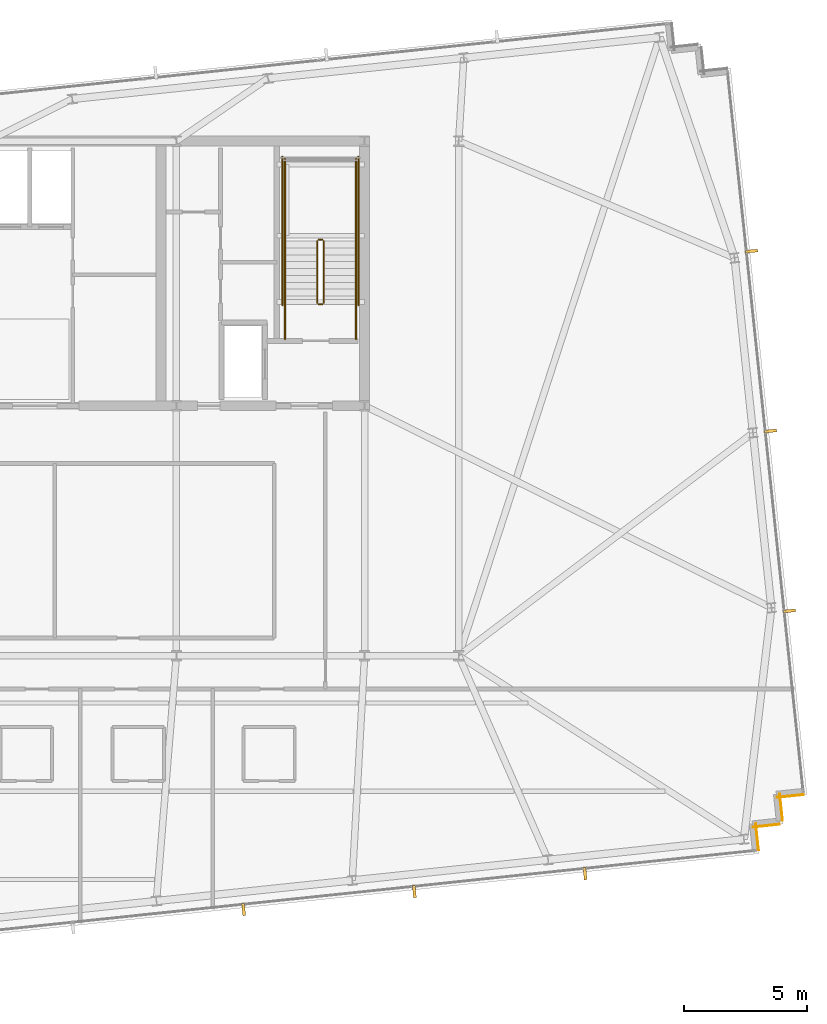
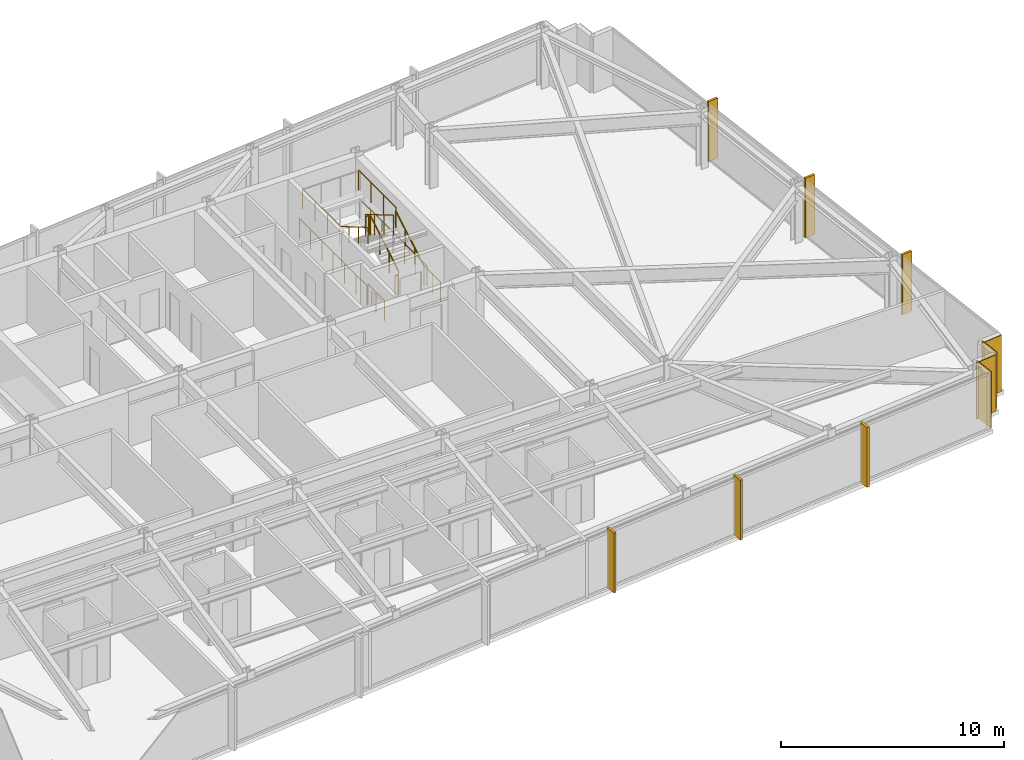
# One storey, part 32 of 33: 12 railings, 6 shading devices, 4 coverings.
"""IFC4 building model written with IfcOpenShell, lengths in metres."""

from ifc_helpers import new_model, si_unit, direction, frame, frame_2d, origin, origin_2d, place, context, subcontext, project, spatial, rectangle, circle, extrude, material, layer, layer_set, type_object, element, save


model = new_model("IFC4")

# Units and contexts
model_context = context("Model", 3, precision=1e-05, world=origin(), true_north=direction((0.0, 1.0)))
body_context = subcontext(model_context, "Body", "Model", "MODEL_VIEW")
ifc_project = project(units=[si_unit("LENGTHUNIT", "METRE"), si_unit("AREAUNIT", "SQUARE_METRE"), si_unit("VOLUMEUNIT", "CUBIC_METRE"), si_unit("PLANEANGLEUNIT", "RADIAN"), si_unit("MASSUNIT", "GRAM", prefix="KILO")], contexts=[model_context])

# Site, building, storey
site_placement = place(None, origin())
site = spatial("IfcSite", under=ifc_project, at=site_placement, CompositionType="ELEMENT")
building_placement = place(site_placement, origin())
building = spatial("IfcBuilding", under=site, at=building_placement, Name="Yelkora Congress Tower", CompositionType="ELEMENT")
storey_placement = place(building_placement, frame((0.0, 0.0, 221.0)))
storey = spatial("IfcBuildingStorey", under=building, at=storey_placement, Name="L61", CompositionType="ELEMENT", Elevation=221.0)

# Coverings
ifc_material_1 = material(Name="Anatolian bush-hammered limestone", Category="masonry")
ifc_layer_1 = layer(ifc_material_1, 0.0400390625)
ifc_layer_set_1 = layer_set([ifc_layer_1], Name="Anatolian bush-hammered limestone")
covering_type = type_object("IfcCoveringType", Name="COV-CLAD-SPANDREL-40", PredefinedType="CLADDING", material=ifc_layer_set_1)
for number, where, z_axis, x_axis, name in (
    (1, (71.668212890625, 19.535888671875, 0.0), (0.0, 0.0, 1.0), (-0.994544300928, -0.104315068386, 0.0), "L61 Anatolian Limestone Cladding EW-L61-SR16"),
    (2, (70.6943359375, 19.569580078125, 0.0), (0.0, 0.0, 1.0), (0.104534592565, -0.994521251134, 0.0), "L61 Anatolian Limestone Cladding EW-L61-SR17"),
    (3, (70.689208984375, 18.3271484375, 0.0), (0.0, 0.0, 1.0), (-0.994521251134, -0.104534592565, 0.0), "L61 Anatolian Limestone Cladding EW-L61-SR18"),
    (4, (69.71533203125, 18.360595703125, 0.0), (0.0, 0.0, 1.0), (0.104534592565, -0.994521251134, 0.0), "L61 Anatolian Limestone Cladding EW-L61-SR19"),
):
    element("IfcCovering", number, at=place(storey_placement, frame(where, z_axis=z_axis, x_axis=x_axis)), inside=storey, type_object=covering_type, Name=name, PredefinedType="CLADDING", context=body_context, shape_type="SweptSolid", body=[
        extrude(rectangle(XDim=1.10009765625, YDim=0.0400390625, at=frame_2d((0.550048828125, 0.0))), origin(), (0.0, 0.0, 1.0), 3.080078125),
    ])

# Railings
ifc_material_2 = material(Name="Painted galvanised steel stair well guard with vertical infill", Category="steel")
ifc_layer_2 = layer(ifc_material_2, 0.06005859375)
ifc_layer_set_2 = layer_set([ifc_layer_2], Name="Painted galvanised steel stair well guard with vertical infill")
railing_type_1 = type_object("IfcRailingType", Name="RAIL-STAIR-GUARD-1120", PredefinedType="GUARDRAIL", material=ifc_layer_set_2)
railing_1_placement = place(storey_placement, frame((52.090087890625, 39.60009765625, 0.1650390625)))
element("IfcRailing", 5, at=railing_1_placement, inside=storey, type_object=railing_type_1, Name="ST-02 L61 Stair Well Guardrail 1", PredefinedType="GUARDRAIL", context=body_context, shape_type="SweptSolid", body=[
    extrude(circle(Radius=0.02392578125, at=origin_2d()), frame((0.0, 0.0, 1.09619140625), z_axis=(0.0, 0.861560626758, 0.507654692109), x_axis=(-1.0, 0.0, 0.0)), (0.0, 0.0, 1.0), 2.925048828125),
    extrude(circle(Radius=0.02099609375, at=origin_2d()), origin(), (0.0, 0.0, 1.0), 1.072021484375),
    extrude(circle(Radius=0.02099609375, at=origin_2d()), frame((0.0, 0.840087890625, 0.494873046875)), (0.0, 0.0, 1.0), 1.072021484375),
    extrude(circle(Radius=0.02099609375, at=origin_2d()), frame((0.0, 1.679931640625, 0.989990234375)), (0.0, 0.0, 1.0), 1.072021484375),
    extrude(circle(Radius=0.02099609375, at=origin_2d()), frame((0.0, 2.52001953125, 1.48486328125)), (0.0, 0.0, 1.0), 1.072021484375),
])
railing_2_placement = place(storey_placement, frame((52.0400390625, 42.169921875, 1.64990234375)))
element("IfcRailing", 6, at=railing_2_placement, inside=storey, type_object=railing_type_1, Name="ST-02 L61 Stair Well Guardrail 2", PredefinedType="GUARDRAIL", context=body_context, shape_type="SweptSolid", body=[
    extrude(circle(Radius=0.02392578125, at=origin_2d()), frame((0.0, 0.0, 1.09619140625), z_axis=(-1.0, 0.0, 0.0), x_axis=(0.0, -1.0, 0.0)), (0.0, 0.0, 1.0), 0.16015625),
    extrude(circle(Radius=0.02099609375, at=origin_2d()), origin(), (0.0, 0.0, 1.0), 1.072021484375),
    extrude(circle(Radius=0.02099609375, at=origin_2d()), frame((-0.16015625, 0.0, 0.0)), (0.0, 0.0, 1.0), 1.072021484375),
])
for number, where, name in (
    (7, (53.409912109375, 42.1201171875, 1.64990234375), "ST-02 L61 Stair Well Guardrail 3"),
    (8, (50.510009765625, 42.1201171875, 1.64990234375), "ST-02 L61 Stair Well Guardrail 4"),
):
    element("IfcRailing", number, at=place(storey_placement, frame(where)), inside=storey, type_object=railing_type_1, Name=name, PredefinedType="GUARDRAIL", context=body_context, shape_type="SweptSolid", body=[
        extrude(circle(Radius=0.02392578125, at=origin_2d()), frame((0.0, 0.0, 1.09619140625), z_axis=(0.0, 1.0, 0.0), x_axis=(-1.0, 0.0, 0.0)), (0.0, 0.0, 1.0), 3.349853515625),
        extrude(circle(Radius=0.02099609375, at=origin_2d()), origin(), (0.0, 0.0, 1.0), 1.072021484375),
        extrude(circle(Radius=0.02099609375, at=origin_2d()), frame((0.0, 1.11669921875, 0.0)), (0.0, 0.0, 1.0), 1.072021484375),
        extrude(circle(Radius=0.02099609375, at=origin_2d()), frame((0.0, 2.233154296875, 0.0)), (0.0, 0.0, 1.0), 1.072021484375),
        extrude(circle(Radius=0.02099609375, at=origin_2d()), frame((0.0, 3.349853515625, 0.0)), (0.0, 0.0, 1.0), 1.072021484375),
    ])
railing_3_placement = place(storey_placement, frame((51.830078125, 42.1201171875, 1.81494140625)))
element("IfcRailing", 9, at=railing_3_placement, inside=storey, type_object=railing_type_1, Name="ST-02 L61 Stair Well Guardrail 6", PredefinedType="GUARDRAIL", context=body_context, shape_type="SweptSolid", body=[
    extrude(circle(Radius=0.02392578125, at=origin_2d()), frame((0.0, 0.0, 1.09619140625), z_axis=(0.0, -0.86152411907, 0.507716645641), x_axis=(1.0, 0.0, 0.0)), (0.0, 0.0, 1.0), 2.925048828125),
    extrude(circle(Radius=0.02099609375, at=origin_2d()), origin(), (0.0, 0.0, 1.0), 1.072021484375),
    extrude(circle(Radius=0.02099609375, at=origin_2d()), frame((0.0, -0.840087890625, 0.4951171875)), (0.0, 0.0, 1.0), 1.072021484375),
    extrude(circle(Radius=0.02099609375, at=origin_2d()), frame((0.0, -1.679931640625, 0.989990234375)), (0.0, 0.0, 1.0), 1.072021484375),
    extrude(circle(Radius=0.02099609375, at=origin_2d()), frame((0.0, -2.52001953125, 1.485107421875)), (0.0, 0.0, 1.0), 1.072021484375),
])
railing_4_placement = place(storey_placement, frame((52.0400390625, 39.550048828125, 0.0)))
element("IfcRailing", 10, at=railing_4_placement, inside=storey, type_object=railing_type_1, Name="ST-02 L61 Stair Well Guardrail 7", PredefinedType="GUARDRAIL", context=body_context, shape_type="SweptSolid", body=[
    extrude(circle(Radius=0.02392578125, at=origin_2d()), frame((0.0, 0.0, 1.09619140625), z_axis=(-1.0, 0.0, 0.0), x_axis=(0.0, -1.0, 0.0)), (0.0, 0.0, 1.0), 0.16015625),
    extrude(circle(Radius=0.02099609375, at=origin_2d()), origin(), (0.0, 0.0, 1.0), 1.072021484375),
    extrude(circle(Radius=0.02099609375, at=origin_2d()), frame((-0.16015625, 0.0, 0.0)), (0.0, 0.0, 1.0), 1.072021484375),
])
for number, where, name in (
    (11, (53.409912109375, 38.1201171875, 0.0), "ST-02 L61 Stair Well Guardrail 8"),
    (12, (50.510009765625, 38.1201171875, 0.0), "ST-02 L61 Stair Well Guardrail 9"),
):
    element("IfcRailing", number, at=place(storey_placement, frame(where)), inside=storey, type_object=railing_type_1, Name=name, PredefinedType="GUARDRAIL", context=body_context, shape_type="SweptSolid", body=[
        extrude(circle(Radius=0.02392578125, at=origin_2d()), frame((0.0, 0.0, 1.09619140625), z_axis=(0.0, 1.0, 0.0), x_axis=(-1.0, 0.0, 0.0)), (0.0, 0.0, 1.0), 1.47998046875),
        extrude(circle(Radius=0.02099609375, at=origin_2d()), origin(), (0.0, 0.0, 1.0), 1.072021484375),
        extrude(circle(Radius=0.02099609375, at=origin_2d()), frame((0.0, 0.739990234375, 0.0)), (0.0, 0.0, 1.0), 1.072021484375),
        extrude(circle(Radius=0.02099609375, at=origin_2d()), frame((0.0, 1.47998046875, 0.0)), (0.0, 0.0, 1.0), 1.072021484375),
    ])
for number, where, name in (
    (13, (53.510009765625, 39.5, 0.0), "ST-02 L61 Stair Well Guardrail 10"),
    (14, (50.409912109375, 39.5, 0.0), "ST-02 L61 Stair Well Guardrail 11"),
):
    element("IfcRailing", number, at=place(storey_placement, frame(where)), inside=storey, type_object=railing_type_1, Name=name, PredefinedType="GUARDRAIL", context=body_context, shape_type="SweptSolid", body=[
        extrude(circle(Radius=0.02392578125, at=origin_2d()), frame((0.0, 0.0, 1.09619140625), z_axis=(0.0, 1.0, 0.0), x_axis=(-1.0, 0.0, 0.0)), (0.0, 0.0, 1.0), 6.070068359375),
        extrude(circle(Radius=0.02099609375, at=origin_2d()), origin(), (0.0, 0.0, 1.0), 1.072021484375),
        extrude(circle(Radius=0.02099609375, at=origin_2d()), frame((0.0, 1.01171875, 0.0)), (0.0, 0.0, 1.0), 1.072021484375),
        extrude(circle(Radius=0.02099609375, at=origin_2d()), frame((0.0, 2.0234375, 0.0)), (0.0, 0.0, 1.0), 1.072021484375),
        extrude(circle(Radius=0.02099609375, at=origin_2d()), frame((0.0, 3.03515625, 0.0)), (0.0, 0.0, 1.0), 1.072021484375),
        extrude(circle(Radius=0.02099609375, at=origin_2d()), frame((0.0, 4.046630859375, 0.0)), (0.0, 0.0, 1.0), 1.072021484375),
        extrude(circle(Radius=0.02099609375, at=origin_2d()), frame((0.0, 5.058349609375, 0.0)), (0.0, 0.0, 1.0), 1.072021484375),
        extrude(circle(Radius=0.02099609375, at=origin_2d()), frame((0.0, 6.070068359375, 0.0)), (0.0, 0.0, 1.0), 1.072021484375),
    ])
ifc_material_3 = material(Name="Brushed stainless steel tubular handrail", Category="steel")
ifc_layer_3 = layer(ifc_material_3, 0.050048828125)
ifc_layer_set_3 = layer_set([ifc_layer_3], Name="Brushed stainless steel tubular handrail")
railing_type_2 = type_object("IfcRailingType", Name="RAIL-STAIR-HAND-920", PredefinedType="HANDRAIL", material=ifc_layer_set_3)
railing_5_placement = place(storey_placement, frame((53.409912109375, 39.60009765625, 0.1650390625)))
element("IfcRailing", 15, at=railing_5_placement, inside=storey, type_object=railing_type_2, Name="ST-02 L61 Pitch Handrail 1", PredefinedType="HANDRAIL", context=body_context, shape_type="SweptSolid", body=[
    extrude(circle(Radius=0.02392578125, at=origin_2d()), frame((0.0, 0.0, 0.89599609375), z_axis=(0.0, 0.861560626758, 0.507654692109), x_axis=(-1.0, 0.0, 0.0)), (0.0, 0.0, 1.0), 2.925048828125),
    extrude(circle(Radius=0.02099609375, at=origin_2d()), origin(), (0.0, 0.0, 1.0), 0.871826171875),
    extrude(circle(Radius=0.02099609375, at=origin_2d()), frame((0.0, 0.840087890625, 0.494873046875)), (0.0, 0.0, 1.0), 0.871826171875),
    extrude(circle(Radius=0.02099609375, at=origin_2d()), frame((0.0, 1.679931640625, 0.989990234375)), (0.0, 0.0, 1.0), 0.871826171875),
    extrude(circle(Radius=0.02099609375, at=origin_2d()), frame((0.0, 2.52001953125, 1.48486328125)), (0.0, 0.0, 1.0), 0.871826171875),
])
railing_6_placement = place(storey_placement, frame((50.510009765625, 42.1201171875, 1.81494140625)))
element("IfcRailing", 16, at=railing_6_placement, inside=storey, type_object=railing_type_2, Name="ST-02 L61 Pitch Handrail 2", PredefinedType="HANDRAIL", context=body_context, shape_type="SweptSolid", body=[
    extrude(circle(Radius=0.02392578125, at=origin_2d()), frame((0.0, 0.0, 0.89599609375), z_axis=(0.0, -0.86152411907, 0.507716645641), x_axis=(1.0, 0.0, 0.0)), (0.0, 0.0, 1.0), 2.925048828125),
    extrude(circle(Radius=0.02099609375, at=origin_2d()), origin(), (0.0, 0.0, 1.0), 0.871826171875),
    extrude(circle(Radius=0.02099609375, at=origin_2d()), frame((0.0, -0.840087890625, 0.4951171875)), (0.0, 0.0, 1.0), 0.871826171875),
    extrude(circle(Radius=0.02099609375, at=origin_2d()), frame((0.0, -1.679931640625, 0.989990234375)), (0.0, 0.0, 1.0), 0.871826171875),
    extrude(circle(Radius=0.02099609375, at=origin_2d()), frame((0.0, -2.52001953125, 1.485107421875)), (0.0, 0.0, 1.0), 0.871826171875),
])

# Shading devices
ifc_material_4 = material(Name="Champagne anodised aluminium", Category="aluminium")
ifc_layer_4 = layer(ifc_material_4, 3.300048828125)
ifc_layer_set_4 = layer_set([ifc_layer_4], Name="Champagne anodised aluminium")
shading_device_type = type_object("IfcShadingDeviceType", Name="SHD-FIN-ALU-520", PredefinedType="USERDEFINED", material=ifc_layer_set_4)
for number, where, z_axis, x_axis, name in (
    (17, (69.538818359375, 41.7099609375, -0.02978515625), (0.0, 0.0, 1.0), (0.104528463268, -0.994521895368, 0.0), "L61 Vertical Anodised Solar Fin 15-1"),
    (18, (70.31005859375, 34.370361328125, -0.02978515625), (0.0, 0.0, 1.0), (0.104528463268, -0.994521895368, 0.0), "L61 Vertical Anodised Solar Fin 15-2"),
    (19, (71.08154296875, 27.03076171875, -0.02978515625), (0.0, 0.0, 1.0), (0.104528463268, -0.994521895368, 0.0), "L61 Vertical Anodised Solar Fin 15-3"),
    (20, (62.75244140625, 16.321533203125, -0.02978515625), (0.0, 0.0, 1.0), (-0.994521895368, -0.104528463268, 0.0), "L61 Vertical Anodised Solar Fin 20-1"),
    (21, (55.7880859375, 15.589599609375, -0.02978515625), (0.0, 0.0, 1.0), (-0.994521895368, -0.104528463268, 0.0), "L61 Vertical Anodised Solar Fin 20-2"),
    (22, (48.823486328125, 14.857421875, -0.02978515625), (0.0, 0.0, 1.0), (-0.994521895368, -0.104528463268, 0.0), "L61 Vertical Anodised Solar Fin 20-3"),
):
    element("IfcShadingDevice", number, at=place(storey_placement, frame(where, z_axis=z_axis, x_axis=x_axis)), inside=storey, type_object=shading_device_type, Name=name, ObjectType="FIN", PredefinedType="USERDEFINED", context=body_context, shape_type="SweptSolid", body=[
        extrude(rectangle(XDim=0.1201171875, YDim=0.52001953125, at=origin_2d()), origin(), (0.0, 0.0, 1.0), 3.280029296875),
    ])

save(model, "model.ifc")
